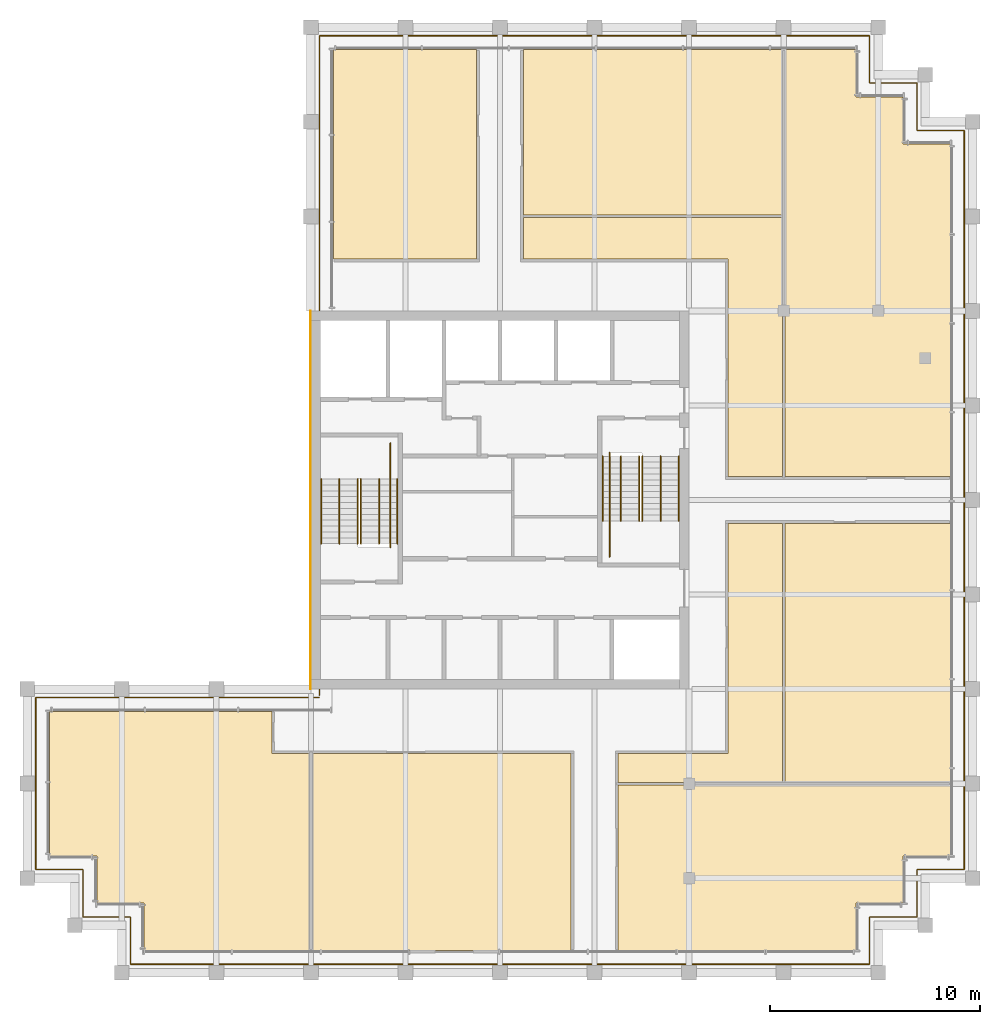
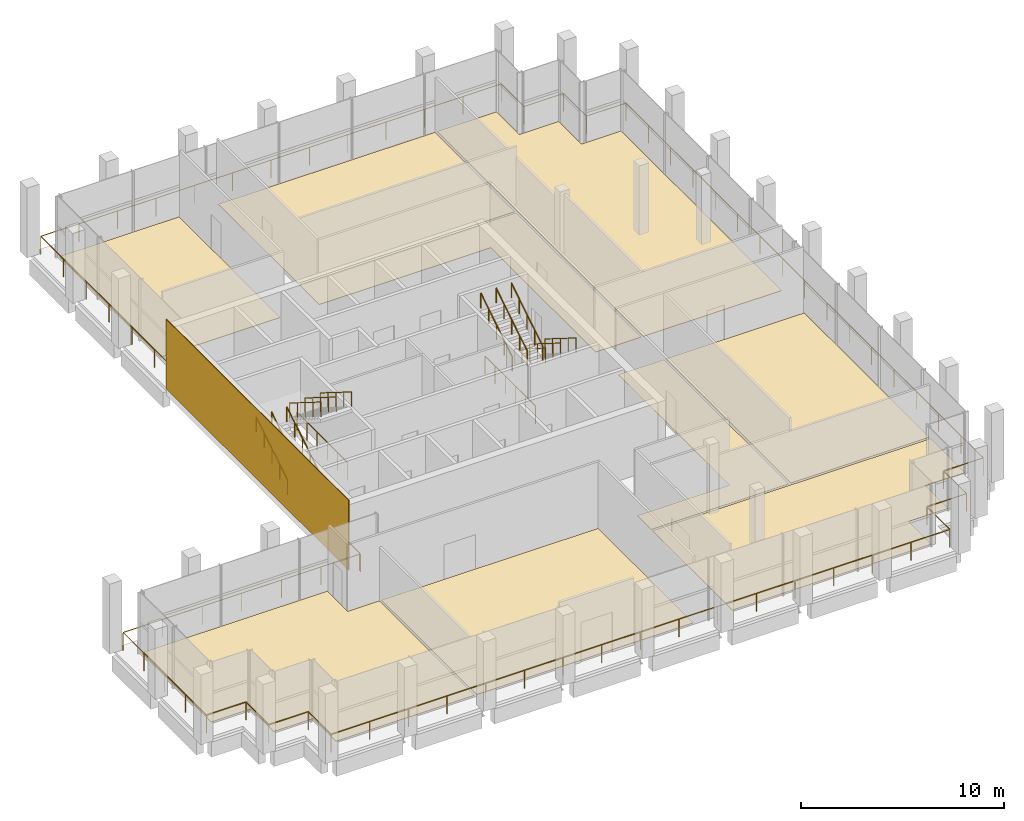
# One storey, part 17 of 17: 15 railings, 10 coverings.
"""IFC4 building model written with IfcOpenShell, lengths in metres."""

from ifc_helpers import new_model, si_unit, direction, frame, origin, origin_2d, place, context, subcontext, project, spatial, polyline, rectangle, circle, outline, extrude, source, transform, mapped, material, layer, layer_set, type_object, element, save


model = new_model("IFC4")

# Units and contexts
model_context = context("Model", 3, precision=1e-05, world=origin(), true_north=direction((0.0, 1.0)))
body_context = subcontext(model_context, "Body", "Model", "MODEL_VIEW")
ifc_project = project(units=[si_unit("LENGTHUNIT", "METRE"), si_unit("AREAUNIT", "SQUARE_METRE"), si_unit("VOLUMEUNIT", "CUBIC_METRE"), si_unit("PLANEANGLEUNIT", "RADIAN"), si_unit("MASSUNIT", "GRAM", prefix="KILO")], contexts=[model_context])

# Site, building, storey
site_placement = place(None, origin())
site = spatial("IfcSite", under=ifc_project, at=site_placement, CompositionType="ELEMENT")
building_placement = place(site_placement, origin())
building = spatial("IfcBuilding", under=site, at=building_placement, Name="Altepetl Exchange Towers", CompositionType="ELEMENT")
storey_placement = place(building_placement, frame((0.0, 0.0, 259.39990234375)))
storey = spatial("IfcBuildingStorey", under=building, at=storey_placement, Name="L66", CompositionType="ELEMENT", Elevation=259.39990234375)

# Coverings
ifc_material_1 = material(Name="Carpet tile")
ifc_layer_1 = layer(ifc_material_1, 0.02001953125)
ifc_layer_set_1 = layer_set([ifc_layer_1], Name="Carpet tile")
covering_type_1 = type_object("IfcCoveringType", Name="Carpet tile floor", PredefinedType="FLOORING", material=ifc_layer_set_1)
covering_1_placement = place(storey_placement, origin())
element("IfcCovering", 1, at=covering_1_placement, inside=storey, type_object=covering_type_1, Name="Meeting room floor finish A66.03", PredefinedType="FLOORING", context=body_context, shape_type="SweptSolid", body=[
    extrude(outline(polyline([(68.6875, 30.3125), (68.6875, 32.5625), (70.9375, 32.5625), (70.9375, 35.9375), (55.112548828125, 35.9375), (55.112548828125, 28.0625), (66.4375, 28.0625), (66.4375, 30.3125), (68.6875, 30.3125)])), origin(), (0.0, 0.0, 1.0), 0.02001953125),
])
covering_2_placement = place(storey_placement, origin())
element("IfcCovering", 2, at=covering_2_placement, inside=storey, type_object=covering_type_1, Name="Pantry floor finish A66.04", PredefinedType="FLOORING", context=body_context, shape_type="SweptSolid", body=[
    extrude(outline(polyline([(55.112548828125, 36.0625), (62.9375, 36.0625), (62.9375, 48.387451171875), (60.362548828125, 48.387451171875), (60.362548828125, 37.4375), (55.112548828125, 37.4375), (55.112548828125, 36.0625)])), origin(), (0.0, 0.0, 1.0), 0.02001953125),
])
covering_3_placement = place(storey_placement, origin())
element("IfcCovering", 3, at=covering_3_placement, inside=storey, type_object=covering_type_1, Name="Meeting room floor finish A66.08", PredefinedType="FLOORING", context=body_context, shape_type="SweptSolid", body=[
    extrude(outline(polyline([(50.612548828125, 63.0625), (62.9375, 63.0625), (62.9375, 70.9375), (50.612548828125, 70.9375), (50.612548828125, 63.0625)])), origin(), (0.0, 0.0, 1.0), 0.02001953125),
])
ifc_material_2 = material(Name="Cantera stone", Category="masonry")
ifc_layer_2 = layer(ifc_material_2, 0.030029296875)
ifc_layer_set_2 = layer_set([ifc_layer_2], Name="Cantera stone")
covering_type_2 = type_object("IfcCoveringType", Name="Polished stone floor", PredefinedType="FLOORING", material=ifc_layer_set_2)
covering_4_placement = place(storey_placement, origin())
element("IfcCovering", 4, at=covering_4_placement, inside=storey, type_object=covering_type_2, Name="Library floor finish A66.01", PredefinedType="FLOORING", context=body_context, shape_type="SweptSolid", body=[
    extrude(outline(polyline([(30.3125, 30.3125), (32.5625, 30.3125), (32.5625, 28.0625), (40.4375, 28.0625), (40.4375, 37.4375), (38.637451171875, 37.4375), (38.637451171875, 39.4375), (28.0625, 39.4375), (28.0625, 32.5625), (30.3125, 32.5625), (30.3125, 30.3125)])), origin(), (0.0, 0.0, 1.0), 0.030029296875),
])
covering_5_placement = place(storey_placement, origin())
element("IfcCovering", 5, at=covering_5_placement, inside=storey, type_object=covering_type_2, Name="Executive office floor finish A66.02", PredefinedType="FLOORING", context=body_context, shape_type="SweptSolid", body=[
    extrude(outline(polyline([(40.5625, 37.4375), (40.5625, 28.0625), (52.887451171875, 28.0625), (52.887451171875, 37.4375), (40.5625, 37.4375)])), origin(), (0.0, 0.0, 1.0), 0.030029296875),
])
covering_6_placement = place(storey_placement, origin())
element("IfcCovering", 6, at=covering_6_placement, inside=storey, type_object=covering_type_2, Name="Boardroom floor finish A66.05", PredefinedType="FLOORING", context=body_context, shape_type="SweptSolid", body=[
    extrude(outline(polyline([(63.0625, 48.387451171875), (63.0625, 36.0625), (70.9375, 36.0625), (70.9375, 48.387451171875), (63.0625, 48.387451171875)])), origin(), (0.0, 0.0, 1.0), 0.030029296875),
])
covering_7_placement = place(storey_placement, origin())
element("IfcCovering", 7, at=covering_7_placement, inside=storey, type_object=covering_type_2, Name="Executive office floor finish A66.06", PredefinedType="FLOORING", context=body_context, shape_type="SweptSolid", body=[
    extrude(outline(polyline([(68.6875, 68.6875), (66.4375, 68.6875), (66.4375, 70.9375), (63.0625, 70.9375), (63.0625, 50.612548828125), (70.9375, 50.612548828125), (70.9375, 66.4375), (68.6875, 66.4375), (68.6875, 68.6875)])), origin(), (0.0, 0.0, 1.0), 0.030029296875),
])
covering_8_placement = place(storey_placement, origin())
element("IfcCovering", 8, at=covering_8_placement, inside=storey, type_object=covering_type_2, Name="Reception floor finish A66.07", PredefinedType="FLOORING", context=body_context, shape_type="SweptSolid", body=[
    extrude(outline(polyline([(62.9375, 50.612548828125), (62.9375, 62.9375), (50.612548828125, 62.9375), (50.612548828125, 60.96240234375), (60.362548828125, 60.96240234375), (60.362548828125, 50.612548828125), (62.9375, 50.612548828125)])), origin(), (0.0, 0.0, 1.0), 0.030029296875),
])
covering_9_placement = place(storey_placement, origin())
element("IfcCovering", 9, at=covering_9_placement, inside=storey, type_object=covering_type_2, Name="Lounge floor finish A66.09", PredefinedType="FLOORING", context=body_context, shape_type="SweptSolid", body=[
    extrude(outline(polyline([(41.5625, 60.96240234375), (48.387451171875, 60.96240234375), (48.387451171875, 70.9375), (41.5625, 70.9375), (41.5625, 60.96240234375)])), origin(), (0.0, 0.0, 1.0), 0.030029296875),
])
ifc_material_3 = material(Name="Cantera limestone cladding", Category="masonry")
ifc_layer_3 = layer(ifc_material_3, 0.0400390625)
ifc_layer_set_3 = layer_set([ifc_layer_3], Name="Cantera limestone cladding")
covering_type_3 = type_object("IfcCoveringType", Name="Stone panel 40 cantera", PredefinedType="CLADDING", material=ifc_layer_set_3)
covering_10_placement = place(storey_placement, frame((40.47998046875, 49.5, 0.0), z_axis=(0.0, 0.0, 1.0), x_axis=(0.0, -1.0, 0.0)))
element("IfcCovering", 10, at=covering_10_placement, inside=storey, type_object=covering_type_3, Name="Stone cladding panel", PredefinedType="CLADDING", context=body_context, shape_type="SweptSolid", body=[
    extrude(rectangle(XDim=18.0, YDim=0.0400390625, at=origin_2d()), origin(), (0.0, 0.0, 1.0), 4.199951171875),
])

# Railings
ifc_material_4 = material(Name="Steel S355", Category="steel")
railing_type_1 = type_object("IfcRailingType", Name="Guard 1100 steel posts and rail", PredefinedType="GUARDRAIL", material=ifc_material_4)
shared_shape_1 = source(origin(), body_context, "Body", "SweptSolid", [
    extrude(circle(Radius=0.02099609375, at=origin_2d()), origin(), (0.0, 0.0, 1.0), 1.052001953125),
])
railing_placement = place(storey_placement, frame((40.89990234375, 40.10009765625, 0.0)))
element("IfcRailing", 11, at=railing_placement, inside=storey, type_object=railing_type_1, Name="Loggia guard", PredefinedType="GUARDRAIL", context=body_context, shape_type="SweptSolid", body=[
    extrude(circle(Radius=0.02392578125, at=origin_2d()), frame((0.0, 0.0, 1.076171875), z_axis=(-1.0, 0.0, 0.0), x_axis=(0.0, -1.0, 0.0)), (0.0, 0.0, 1.0), 13.5),
    extrude(circle(Radius=0.02392578125, at=origin_2d()), frame((-13.5, 0.0, 1.076171875), z_axis=(0.0, -1.0, 0.0), x_axis=(1.0, 0.0, 0.0)), (0.0, 0.0, 1.0), 8.2001953125),
    extrude(circle(Radius=0.02392578125, at=origin_2d()), frame((-13.5, -8.2001953125, 1.076171875), z_axis=(1.0, 0.0, 0.0), x_axis=(0.0, 1.0, 0.0)), (0.0, 0.0, 1.0), 2.25),
    extrude(circle(Radius=0.02392578125, at=origin_2d()), frame((-11.25, -8.2001953125, 1.076171875), z_axis=(0.0, -1.0, 0.0), x_axis=(1.0, 0.0, 0.0)), (0.0, 0.0, 1.0), 2.25),
    extrude(circle(Radius=0.02392578125, at=origin_2d()), frame((-11.25, -10.4501953125, 1.076171875), z_axis=(1.0, 0.0, 0.0), x_axis=(0.0, 1.0, 0.0)), (0.0, 0.0, 1.0), 2.25),
    extrude(circle(Radius=0.02392578125, at=origin_2d()), frame((-9.0, -10.4501953125, 1.076171875), z_axis=(0.0, -1.0, 0.0), x_axis=(1.0, 0.0, 0.0)), (0.0, 0.0, 1.0), 2.25),
    extrude(circle(Radius=0.02392578125, at=origin_2d()), frame((-9.0, -12.7001953125, 1.076171875), z_axis=(1.0, 0.0, 0.0), x_axis=(0.0, 1.0, 0.0)), (0.0, 0.0, 1.0), 35.2001953125),
    extrude(circle(Radius=0.02392578125, at=origin_2d()), frame((26.2001953125, -12.7001953125, 1.076171875), z_axis=(0.0, 1.0, 0.0), x_axis=(-1.0, 0.0, 0.0)), (0.0, 0.0, 1.0), 2.25),
    extrude(circle(Radius=0.02392578125, at=origin_2d()), frame((26.2001953125, -10.4501953125, 1.076171875), z_axis=(1.0, 0.0, 0.0), x_axis=(0.0, 1.0, 0.0)), (0.0, 0.0, 1.0), 2.25),
    extrude(circle(Radius=0.02392578125, at=origin_2d()), frame((28.4501953125, -10.4501953125, 1.076171875), z_axis=(0.0, 1.0, 0.0), x_axis=(-1.0, 0.0, 0.0)), (0.0, 0.0, 1.0), 2.25),
    extrude(circle(Radius=0.02392578125, at=origin_2d()), frame((28.4501953125, -8.2001953125, 1.076171875), z_axis=(1.0, 0.0, 0.0), x_axis=(0.0, 1.0, 0.0)), (0.0, 0.0, 1.0), 2.25),
    extrude(circle(Radius=0.02392578125, at=origin_2d()), frame((30.7001953125, -8.2001953125, 1.076171875), z_axis=(0.0, 1.0, 0.0), x_axis=(-1.0, 0.0, 0.0)), (0.0, 0.0, 1.0), 35.2001953125),
    extrude(circle(Radius=0.02392578125, at=origin_2d()), frame((30.7001953125, 27.0, 1.076171875), z_axis=(-1.0, 0.0, 0.0), x_axis=(0.0, -1.0, 0.0)), (0.0, 0.0, 1.0), 2.25),
    extrude(circle(Radius=0.02392578125, at=origin_2d()), frame((28.4501953125, 27.0, 1.076171875), z_axis=(0.0, 1.0, 0.0), x_axis=(-1.0, 0.0, 0.0)), (0.0, 0.0, 1.0), 2.25),
    extrude(circle(Radius=0.02392578125, at=origin_2d()), frame((28.4501953125, 29.25, 1.076171875), z_axis=(-1.0, 0.0, 0.0), x_axis=(0.0, -1.0, 0.0)), (0.0, 0.0, 1.0), 2.25),
    extrude(circle(Radius=0.02392578125, at=origin_2d()), frame((26.2001953125, 29.25, 1.076171875), z_axis=(0.0, 1.0, 0.0), x_axis=(-1.0, 0.0, 0.0)), (0.0, 0.0, 1.0), 2.25),
    extrude(circle(Radius=0.02392578125, at=origin_2d()), frame((26.2001953125, 31.5, 1.076171875), z_axis=(-1.0, 0.0, 0.0), x_axis=(0.0, -1.0, 0.0)), (0.0, 0.0, 1.0), 26.2001953125),
    extrude(circle(Radius=0.02392578125, at=origin_2d()), frame((0.0, 31.5, 1.076171875), z_axis=(0.0, -1.0, 0.0), x_axis=(1.0, 0.0, 0.0)), (0.0, 0.0, 1.0), 31.400146484375),
    mapped(shared_shape_1, transform((0.0, 0.0, 0.0))),
    mapped(shared_shape_1, transform((-2.25, 0.0, 0.0))),
    mapped(shared_shape_1, transform((-4.5, 0.0, 0.0))),
    mapped(shared_shape_1, transform((-6.75, 0.0, 0.0))),
    mapped(shared_shape_1, transform((-9.0, 0.0, 0.0))),
    mapped(shared_shape_1, transform((-11.25, 0.0, 0.0))),
    mapped(shared_shape_1, transform((-13.5, 0.0, 0.0))),
    mapped(shared_shape_1, transform((-13.5, -2.050048828125, 0.0))),
    mapped(shared_shape_1, transform((-13.5, -4.10009765625, 0.0))),
    mapped(shared_shape_1, transform((-13.5, -6.150146484375, 0.0))),
    mapped(shared_shape_1, transform((-13.5, -8.2001953125, 0.0))),
    mapped(shared_shape_1, transform((-11.25, -8.2001953125, 0.0))),
    mapped(shared_shape_1, transform((-11.25, -10.4501953125, 0.0))),
    mapped(shared_shape_1, transform((-9.0, -10.4501953125, 0.0))),
    mapped(shared_shape_1, transform((-9.0, -12.7001953125, 0.0))),
    mapped(shared_shape_1, transform((-6.800048828125, -12.7001953125, 0.0))),
    mapped(shared_shape_1, transform((-4.60009765625, -12.7001953125, 0.0))),
    mapped(shared_shape_1, transform((-2.39990234375, -12.7001953125, 0.0))),
    mapped(shared_shape_1, transform((-0.199951171875, -12.7001953125, 0.0))),
    mapped(shared_shape_1, transform((2.0, -12.7001953125, 0.0))),
    mapped(shared_shape_1, transform((4.2001953125, -12.7001953125, 0.0))),
    mapped(shared_shape_1, transform((6.400146484375, -12.7001953125, 0.0))),
    mapped(shared_shape_1, transform((8.60009765625, -12.7001953125, 0.0))),
    mapped(shared_shape_1, transform((10.800048828125, -12.7001953125, 0.0))),
    mapped(shared_shape_1, transform((13.0, -12.7001953125, 0.0))),
    mapped(shared_shape_1, transform((15.2001953125, -12.7001953125, 0.0))),
    mapped(shared_shape_1, transform((17.400146484375, -12.7001953125, 0.0))),
    mapped(shared_shape_1, transform((19.60009765625, -12.7001953125, 0.0))),
    mapped(shared_shape_1, transform((21.80029296875, -12.7001953125, 0.0))),
    mapped(shared_shape_1, transform((24.000244140625, -12.7001953125, 0.0))),
    mapped(shared_shape_1, transform((26.2001953125, -12.7001953125, 0.0))),
    mapped(shared_shape_1, transform((26.2001953125, -10.4501953125, 0.0))),
    mapped(shared_shape_1, transform((28.4501953125, -10.4501953125, 0.0))),
    mapped(shared_shape_1, transform((28.4501953125, -8.2001953125, 0.0))),
    mapped(shared_shape_1, transform((30.7001953125, -8.2001953125, 0.0))),
    mapped(shared_shape_1, transform((30.7001953125, -6.000244140625, 0.0))),
    mapped(shared_shape_1, transform((30.7001953125, -3.80029296875, 0.0))),
    mapped(shared_shape_1, transform((30.7001953125, -1.60009765625, 0.0))),
    mapped(shared_shape_1, transform((30.7001953125, 0.599853515625, 0.0))),
    mapped(shared_shape_1, transform((30.7001953125, 2.7998046875, 0.0))),
    mapped(shared_shape_1, transform((30.7001953125, 5.0, 0.0))),
    mapped(shared_shape_1, transform((30.7001953125, 7.199951171875, 0.0))),
    mapped(shared_shape_1, transform((30.7001953125, 9.39990234375, 0.0))),
    mapped(shared_shape_1, transform((30.7001953125, 11.599853515625, 0.0))),
    mapped(shared_shape_1, transform((30.7001953125, 13.7998046875, 0.0))),
    mapped(shared_shape_1, transform((30.7001953125, 16.0, 0.0))),
    mapped(shared_shape_1, transform((30.7001953125, 18.199951171875, 0.0))),
    mapped(shared_shape_1, transform((30.7001953125, 20.39990234375, 0.0))),
    mapped(shared_shape_1, transform((30.7001953125, 22.60009765625, 0.0))),
    mapped(shared_shape_1, transform((30.7001953125, 24.800048828125, 0.0))),
    mapped(shared_shape_1, transform((30.7001953125, 27.0, 0.0))),
    mapped(shared_shape_1, transform((28.4501953125, 27.0, 0.0))),
    mapped(shared_shape_1, transform((28.4501953125, 29.25, 0.0))),
    mapped(shared_shape_1, transform((26.2001953125, 29.25, 0.0))),
    mapped(shared_shape_1, transform((26.2001953125, 31.5, 0.0))),
    mapped(shared_shape_1, transform((24.016845703125, 31.5, 0.0))),
    mapped(shared_shape_1, transform((21.83349609375, 31.5, 0.0))),
    mapped(shared_shape_1, transform((19.650146484375, 31.5, 0.0))),
    mapped(shared_shape_1, transform((17.466796875, 31.5, 0.0))),
    mapped(shared_shape_1, transform((15.283447265625, 31.5, 0.0))),
    mapped(shared_shape_1, transform((13.10009765625, 31.5, 0.0))),
    mapped(shared_shape_1, transform((10.916748046875, 31.5, 0.0))),
    mapped(shared_shape_1, transform((8.7333984375, 31.5, 0.0))),
    mapped(shared_shape_1, transform((6.550048828125, 31.5, 0.0))),
    mapped(shared_shape_1, transform((4.36669921875, 31.5, 0.0))),
    mapped(shared_shape_1, transform((2.183349609375, 31.5, 0.0))),
    mapped(shared_shape_1, transform((0.0, 31.5, 0.0))),
    mapped(shared_shape_1, transform((0.0, 29.257080078125, 0.0))),
    mapped(shared_shape_1, transform((0.0, 27.01416015625, 0.0))),
    mapped(shared_shape_1, transform((0.0, 24.771484375, 0.0))),
    mapped(shared_shape_1, transform((0.0, 22.528564453125, 0.0))),
    mapped(shared_shape_1, transform((0.0, 20.28564453125, 0.0))),
    mapped(shared_shape_1, transform((0.0, 18.042724609375, 0.0))),
    mapped(shared_shape_1, transform((0.0, 15.7998046875, 0.0))),
    mapped(shared_shape_1, transform((0.0, 13.55712890625, 0.0))),
    mapped(shared_shape_1, transform((0.0, 11.314208984375, 0.0))),
    mapped(shared_shape_1, transform((0.0, 9.0712890625, 0.0))),
    mapped(shared_shape_1, transform((0.0, 6.828369140625, 0.0))),
    mapped(shared_shape_1, transform((0.0, 4.585693359375, 0.0))),
    mapped(shared_shape_1, transform((0.0, 2.3427734375, 0.0))),
    mapped(shared_shape_1, transform((0.0, 0.099853515625, 0.0))),
])
ifc_material_5 = material(Name="Steel", Category="steel")
railing_type_2 = type_object("IfcRailingType", Name="Stair handrail 50 steel tube", PredefinedType="HANDRAIL", material=ifc_material_5)
shared_shape_2 = source(origin(), body_context, "Body", "SweptSolid", [
    extrude(circle(Radius=0.02099609375, at=origin_2d()), origin(), (0.0, 0.0, 1.0), 0.851806640625),
])
for number, where, name in (
    (12, (42.719970703125, 47.419921875, 0.175048828125), "Stair handrail"),
    (13, (40.97998046875, 47.419921875, 0.175048828125), "Stair handrail"),
    (14, (41.85009765625, 47.419921875, 0.175048828125), "Stair handrail"),
):
    element("IfcRailing", number, at=place(storey_placement, frame(where)), inside=storey, type_object=railing_type_2, Name=name, PredefinedType="HANDRAIL", context=body_context, shape_type="SweptSolid", body=[
        extrude(circle(Radius=0.02392578125, at=origin_2d()), frame((0.0, 0.0, 0.8759765625), z_axis=(0.0, 0.847998304005, 0.529998940003), x_axis=(-1.0, 0.0, 0.0)), (0.0, 0.0, 1.0), 3.632080078125),
        mapped(shared_shape_2, transform((0.0, 0.0, 0.0))),
        mapped(shared_shape_2, transform((0.0, 0.77001953125, 0.481201171875))),
        mapped(shared_shape_2, transform((0.0, 1.5400390625, 0.96240234375))),
        mapped(shared_shape_2, transform((0.0, 2.31005859375, 1.44384765625))),
        mapped(shared_shape_2, transform((0.0, 3.080078125, 1.925048828125))),
    ])
for number, where, name in (
    (15, (42.8798828125, 50.5, 2.275146484375), "Stair handrail"),
    (16, (44.6201171875, 50.5, 2.275146484375), "Stair handrail"),
    (17, (43.75, 50.5, 2.275146484375), "Stair handrail"),
    (18, (56.280029296875, 51.580078125, 0.175048828125), "Stair handrail"),
    (19, (58.02001953125, 51.580078125, 0.175048828125), "Stair handrail"),
    (20, (57.14990234375, 51.580078125, 0.175048828125), "Stair handrail"),
):
    element("IfcRailing", number, at=place(storey_placement, frame(where)), inside=storey, type_object=railing_type_2, Name=name, PredefinedType="HANDRAIL", context=body_context, shape_type="SweptSolid", body=[
        extrude(circle(Radius=0.02392578125, at=origin_2d()), frame((0.0, 0.0, 0.8759765625), z_axis=(0.0, -0.847998304005, 0.529998940003), x_axis=(1.0, 0.0, 0.0)), (0.0, 0.0, 1.0), 3.632080078125),
        mapped(shared_shape_2, transform((0.0, 0.0, 0.0))),
        mapped(shared_shape_2, transform((0.0, -0.77001953125, 0.481201171875))),
        mapped(shared_shape_2, transform((0.0, -1.5400390625, 0.96240234375))),
        mapped(shared_shape_2, transform((0.0, -2.31005859375, 1.44384765625))),
        mapped(shared_shape_2, transform((0.0, -3.080078125, 1.925048828125))),
    ])
for number, where, name in (
    (21, (56.1201171875, 48.5, 2.275146484375), "Stair handrail"),
    (22, (54.3798828125, 48.5, 2.275146484375), "Stair handrail"),
    (23, (55.25, 48.5, 2.275146484375), "Stair handrail"),
):
    element("IfcRailing", number, at=place(storey_placement, frame(where)), inside=storey, type_object=railing_type_2, Name=name, PredefinedType="HANDRAIL", context=body_context, shape_type="SweptSolid", body=[
        extrude(circle(Radius=0.02392578125, at=origin_2d()), frame((0.0, 0.0, 0.8759765625), z_axis=(0.0, 0.847998304005, 0.529998940003), x_axis=(-1.0, 0.0, 0.0)), (0.0, 0.0, 1.0), 3.632080078125),
        mapped(shared_shape_2, transform((0.0, 0.0, 0.0))),
        mapped(shared_shape_2, transform((0.0, 0.77001953125, 0.481201171875))),
        mapped(shared_shape_2, transform((0.0, 1.5400390625, 0.96240234375))),
        mapped(shared_shape_2, transform((0.0, 2.31005859375, 1.44384765625))),
        mapped(shared_shape_2, transform((0.0, 3.080078125, 1.925048828125))),
    ])
railing_type_3 = type_object("IfcRailingType", Name="Stair well guard 1100 steel", PredefinedType="GUARDRAIL", material=ifc_material_5)
shared_shape_3 = source(origin(), body_context, "Body", "SweptSolid", [
    extrude(circle(Radius=0.02099609375, at=origin_2d()), origin(), (0.0, 0.0, 1.0), 1.052001953125),
])
for number, where, name in (
    (24, (44.280029296875, 47.250732421875, 0.0), "Stair well guard"),
    (25, (54.719970703125, 46.800048828125, 0.0), "Stair well guard"),
):
    element("IfcRailing", number, at=place(storey_placement, frame(where)), inside=storey, type_object=railing_type_3, Name=name, PredefinedType="GUARDRAIL", context=body_context, shape_type="SweptSolid", body=[
        extrude(circle(Radius=0.02392578125, at=origin_2d()), frame((0.0, 0.0, 1.076171875), z_axis=(0.0, 1.0, 0.0), x_axis=(-1.0, 0.0, 0.0)), (0.0, 0.0, 1.0), 4.94921875),
        mapped(shared_shape_3, transform((0.0, 0.0, 0.0))),
        mapped(shared_shape_3, transform((0.0, 0.98974609375, 0.0))),
        mapped(shared_shape_3, transform((0.0, 1.979736328125, 0.0))),
        mapped(shared_shape_3, transform((0.0, 2.969482421875, 0.0))),
        mapped(shared_shape_3, transform((0.0, 3.95947265625, 0.0))),
        mapped(shared_shape_3, transform((0.0, 4.94921875, 0.0))),
    ])

save(model, "model.ifc")
